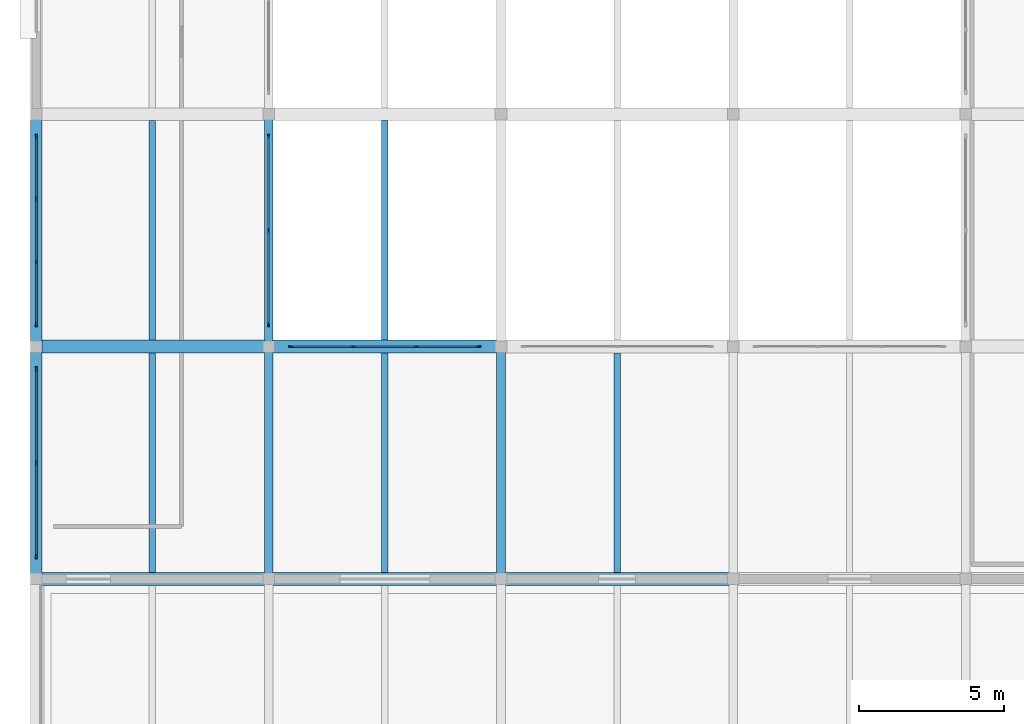
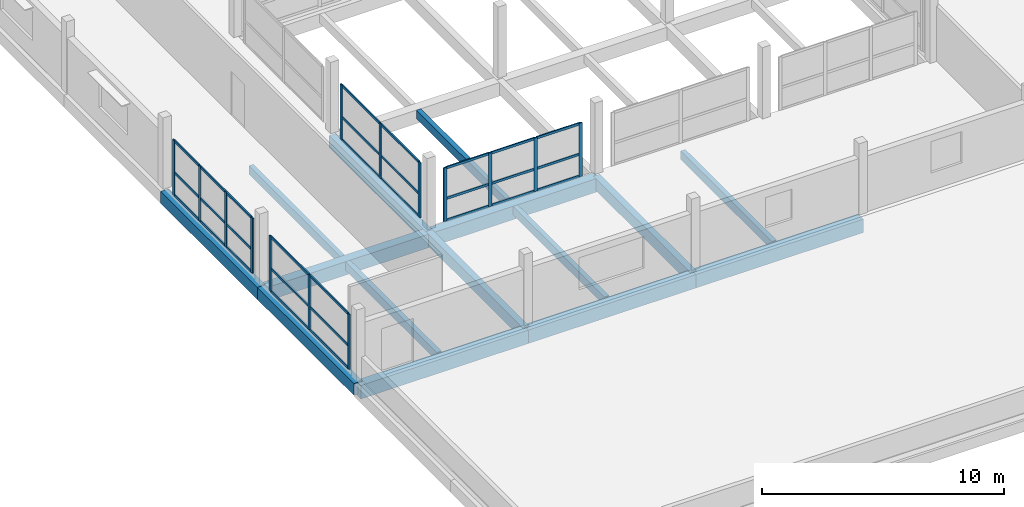
# One storey, part 9 of 51: 44 members, 15 beams, 4 elements without a shape of their own.
"""IFC4 building model written with IfcOpenShell, lengths in metres."""

from ifc_helpers import new_model, si_unit, direction, frame, origin, origin_2d, place, context, subcontext, project, spatial, rectangle, extrude, material, material_profile, profile_set, type_object, element, aggregate, save


model = new_model("IFC4")

# Units and contexts
model_context = context("Model", 3, precision=1e-05, world=origin(), true_north=direction((0.0, 1.0)))
body_context = subcontext(model_context, "Body", "Model", "MODEL_VIEW")
ifc_project = project(units=[si_unit("LENGTHUNIT", "METRE"), si_unit("AREAUNIT", "SQUARE_METRE"), si_unit("VOLUMEUNIT", "CUBIC_METRE"), si_unit("PLANEANGLEUNIT", "RADIAN"), si_unit("MASSUNIT", "GRAM", prefix="KILO")], contexts=[model_context])

# Site, building, storey
site_placement = place(None, origin())
site = spatial("IfcSite", under=ifc_project, at=site_placement, CompositionType="ELEMENT")
building_placement = place(site_placement, origin())
building = spatial("IfcBuilding", under=site, at=building_placement, Name="Vharandega Faculty of Natural Sciences", CompositionType="ELEMENT")
storey_placement = place(building_placement, frame((0.0, 0.0, 18.0)))
storey = spatial("IfcBuildingStorey", under=building, at=storey_placement, Name="L04", CompositionType="ELEMENT", Elevation=18.0)

# Curtain wall, members
ifc_material_1 = material(Name="Aluminium and solar-control glass curtain wall", Category="aluminium")
curtain_wall_type_1 = type_object("IfcCurtainWallType", Name="Unitised Curtain Wall System CW-04", PredefinedType="NOTDEFINED", material=ifc_material_1)
curtain_wall_1_placement = place(storey_placement, origin())
curtain_wall_1 = element("IfcCurtainWall", 1, at=curtain_wall_1_placement, inside=storey, type_object=curtain_wall_type_1, Name="Curtain Wall CW-L04-171", PredefinedType="NOTDEFINED")
ifc_material_2 = material(Name="Thermally broken aluminium 6063-T6", Category="aluminium")
ifc_material_profile_1 = material_profile(ifc_material_2, rectangle(XDim=0.06005859375, YDim=0.159912109375, at=origin_2d()), Name="ALU 60x160")
ifc_profile_set_1 = profile_set([ifc_material_profile_1], Name="Thermally broken aluminium 6063-T6")
member_type_1 = type_object("IfcMemberType", Name="CW Mullion 60x160", PredefinedType="MULLION", material=ifc_profile_set_1)
member_1_placement = place(storey_placement, frame((0.0, 16.77001953125, 0.0), z_axis=(0.0, 0.0, 1.0), x_axis=(-1.0, 0.0, 0.0)))
member_1 = element("IfcMember", 2, at=member_1_placement, type_object=member_type_1, Name="CW-04 mullion 1", PredefinedType="MULLION", context=body_context, shape_type="SweptSolid", body=[
    extrude(rectangle(XDim=0.06005859375, YDim=0.159912109375, at=origin_2d()), origin(), (0.0, 0.0, 1.0), 2.780029296875),
])
member_2_placement = place(storey_placement, frame((0.0, 20.0, 0.0), z_axis=(0.0, 0.0, 1.0), x_axis=(-1.0, 0.0, 0.0)))
member_2 = element("IfcMember", 3, at=member_2_placement, type_object=member_type_1, Name="CW-04 mullion 2", PredefinedType="MULLION", context=body_context, shape_type="SweptSolid", body=[
    extrude(rectangle(XDim=0.06005859375, YDim=0.159912109375, at=origin_2d()), origin(), (0.0, 0.0, 1.0), 2.780029296875),
])
member_3_placement = place(storey_placement, frame((0.0, 23.22998046875, 0.0), z_axis=(0.0, 0.0, 1.0), x_axis=(-1.0, 0.0, 0.0)))
member_3 = element("IfcMember", 4, at=member_3_placement, type_object=member_type_1, Name="CW-04 mullion 3", PredefinedType="MULLION", context=body_context, shape_type="SweptSolid", body=[
    extrude(rectangle(XDim=0.06005859375, YDim=0.159912109375, at=origin_2d()), origin(), (0.0, 0.0, 1.0), 2.780029296875),
])

ifc_material_3 = material(Name="Aluminium and solar-control glass curtain wall", Category="aluminium")
curtain_wall_type_2 = type_object("IfcCurtainWallType", Name="Unitised Curtain Wall System CW-05", PredefinedType="NOTDEFINED", material=ifc_material_3)
curtain_wall_2_placement = place(storey_placement, origin())
curtain_wall_2 = element("IfcCurtainWall", 5, at=curtain_wall_2_placement, inside=storey, type_object=curtain_wall_type_2, Name="Curtain Wall CW-L04-172", PredefinedType="NOTDEFINED")
member_4_placement = place(storey_placement, frame((0.0, 24.77001953125, 0.0), z_axis=(0.0, 0.0, 1.0), x_axis=(-1.0, 0.0, 0.0)))
member_4 = element("IfcMember", 6, at=member_4_placement, type_object=member_type_1, Name="CW-05 mullion 1", PredefinedType="MULLION", context=body_context, shape_type="SweptSolid", body=[
    extrude(rectangle(XDim=0.06005859375, YDim=0.159912109375, at=origin_2d()), origin(), (0.0, 0.0, 1.0), 2.780029296875),
])
member_5_placement = place(storey_placement, frame((0.0, 26.913330078125, 0.0), z_axis=(0.0, 0.0, 1.0), x_axis=(-1.0, 0.0, 0.0)))
member_5 = element("IfcMember", 7, at=member_5_placement, type_object=member_type_1, Name="CW-05 mullion 2", PredefinedType="MULLION", context=body_context, shape_type="SweptSolid", body=[
    extrude(rectangle(XDim=0.06005859375, YDim=0.159912109375, at=origin_2d()), origin(), (0.0, 0.0, 1.0), 2.780029296875),
])
member_6_placement = place(storey_placement, frame((0.0, 29.086669921875, 0.0), z_axis=(0.0, 0.0, 1.0), x_axis=(-1.0, 0.0, 0.0)))
member_6 = element("IfcMember", 8, at=member_6_placement, type_object=member_type_1, Name="CW-05 mullion 3", PredefinedType="MULLION", context=body_context, shape_type="SweptSolid", body=[
    extrude(rectangle(XDim=0.06005859375, YDim=0.159912109375, at=origin_2d()), origin(), (0.0, 0.0, 1.0), 2.780029296875),
])
member_7_placement = place(storey_placement, frame((0.0, 31.22998046875, 0.0), z_axis=(0.0, 0.0, 1.0), x_axis=(-1.0, 0.0, 0.0)))
member_7 = element("IfcMember", 9, at=member_7_placement, type_object=member_type_1, Name="CW-05 mullion 4", PredefinedType="MULLION", context=body_context, shape_type="SweptSolid", body=[
    extrude(rectangle(XDim=0.06005859375, YDim=0.159912109375, at=origin_2d()), origin(), (0.0, 0.0, 1.0), 2.780029296875),
])

ifc_material_4 = material(Name="Aluminium and solar-control glass curtain wall", Category="aluminium")
curtain_wall_type_3 = type_object("IfcCurtainWallType", Name="Unitised Curtain Wall System CW-16", PredefinedType="NOTDEFINED", material=ifc_material_4)
curtain_wall_3_placement = place(storey_placement, origin())
curtain_wall_3 = element("IfcCurtainWall", 10, at=curtain_wall_3_placement, inside=storey, type_object=curtain_wall_type_3, Name="Curtain Wall CW-L04-183", PredefinedType="NOTDEFINED")
member_8_placement = place(storey_placement, frame((8.77001953125, 24.0, 0.0), z_axis=(0.0, 0.0, 1.0), x_axis=(0.0, 1.0, 0.0)))
member_8 = element("IfcMember", 11, at=member_8_placement, type_object=member_type_1, Name="CW-16 mullion 1", PredefinedType="MULLION", context=body_context, shape_type="SweptSolid", body=[
    extrude(rectangle(XDim=0.06005859375, YDim=0.159912109375, at=origin_2d()), origin(), (0.0, 0.0, 1.0), 2.699951171875),
])
member_9_placement = place(storey_placement, frame((10.913330078125, 24.0, 0.0), z_axis=(0.0, 0.0, 1.0), x_axis=(0.0, 1.0, 0.0)))
member_9 = element("IfcMember", 12, at=member_9_placement, type_object=member_type_1, Name="CW-16 mullion 2", PredefinedType="MULLION", context=body_context, shape_type="SweptSolid", body=[
    extrude(rectangle(XDim=0.06005859375, YDim=0.159912109375, at=origin_2d()), origin(), (0.0, 0.0, 1.0), 2.699951171875),
])
member_10_placement = place(storey_placement, frame((13.086669921875, 24.0, 0.0), z_axis=(0.0, 0.0, 1.0), x_axis=(0.0, 1.0, 0.0)))
member_10 = element("IfcMember", 13, at=member_10_placement, type_object=member_type_1, Name="CW-16 mullion 3", PredefinedType="MULLION", context=body_context, shape_type="SweptSolid", body=[
    extrude(rectangle(XDim=0.06005859375, YDim=0.159912109375, at=origin_2d()), origin(), (0.0, 0.0, 1.0), 2.699951171875),
])
member_11_placement = place(storey_placement, frame((15.22998046875, 24.0, 0.0), z_axis=(0.0, 0.0, 1.0), x_axis=(0.0, 1.0, 0.0)))
member_11 = element("IfcMember", 14, at=member_11_placement, type_object=member_type_1, Name="CW-16 mullion 4", PredefinedType="MULLION", context=body_context, shape_type="SweptSolid", body=[
    extrude(rectangle(XDim=0.06005859375, YDim=0.159912109375, at=origin_2d()), origin(), (0.0, 0.0, 1.0), 2.699951171875),
])

ifc_material_5 = material(Name="Aluminium and solar-control glass curtain wall", Category="aluminium")
curtain_wall_type_4 = type_object("IfcCurtainWallType", Name="Unitised Curtain Wall System CW-22", PredefinedType="NOTDEFINED", material=ifc_material_5)
curtain_wall_4_placement = place(storey_placement, origin())
curtain_wall_4 = element("IfcCurtainWall", 15, at=curtain_wall_4_placement, inside=storey, type_object=curtain_wall_type_4, Name="Curtain Wall CW-L04-189", PredefinedType="NOTDEFINED")
member_12_placement = place(storey_placement, frame((8.0, 24.77001953125, 0.0), z_axis=(0.0, 0.0, 1.0), x_axis=(-1.0, 0.0, 0.0)))
member_12 = element("IfcMember", 16, at=member_12_placement, type_object=member_type_1, Name="CW-22 mullion 1", PredefinedType="MULLION", context=body_context, shape_type="SweptSolid", body=[
    extrude(rectangle(XDim=0.06005859375, YDim=0.159912109375, at=origin_2d()), origin(), (0.0, 0.0, 1.0), 2.780029296875),
])
member_13_placement = place(storey_placement, frame((8.0, 28.0, 0.0), z_axis=(0.0, 0.0, 1.0), x_axis=(-1.0, 0.0, 0.0)))
member_13 = element("IfcMember", 17, at=member_13_placement, type_object=member_type_1, Name="CW-22 mullion 2", PredefinedType="MULLION", context=body_context, shape_type="SweptSolid", body=[
    extrude(rectangle(XDim=0.06005859375, YDim=0.159912109375, at=origin_2d()), origin(), (0.0, 0.0, 1.0), 2.780029296875),
])
member_14_placement = place(storey_placement, frame((8.0, 31.22998046875, 0.0), z_axis=(0.0, 0.0, 1.0), x_axis=(-1.0, 0.0, 0.0)))
member_14 = element("IfcMember", 18, at=member_14_placement, type_object=member_type_1, Name="CW-22 mullion 3", PredefinedType="MULLION", context=body_context, shape_type="SweptSolid", body=[
    extrude(rectangle(XDim=0.06005859375, YDim=0.159912109375, at=origin_2d()), origin(), (0.0, 0.0, 1.0), 2.780029296875),
])

# Member
ifc_material_6 = material(Name="Thermally broken aluminium 6063-T6", Category="aluminium")
ifc_material_profile_2 = material_profile(ifc_material_6, rectangle(XDim=0.06005859375, YDim=0.1201171875, at=origin_2d()), Name="ALU 60x120")
ifc_profile_set_2 = profile_set([ifc_material_profile_2], Name="Thermally broken aluminium 6063-T6")
member_type_2 = type_object("IfcMemberType", Name="CW Transom 60x120", PredefinedType="USERDEFINED", material=ifc_profile_set_2)
member_15_placement = place(storey_placement, frame((0.0, 16.800048828125, 0.030029296875), z_axis=(0.0, 1.0, 0.0), x_axis=(-1.0, 0.0, 0.0)))
member_15 = element("IfcMember", 19, at=member_15_placement, type_object=member_type_2, Name="CW-04 transom 1.1", ObjectType="TRANSOM", PredefinedType="USERDEFINED", context=body_context, shape_type="SweptSolid", body=[
    extrude(rectangle(XDim=0.06005859375, YDim=0.1201171875, at=origin_2d()), origin(), (0.0, 0.0, 1.0), 3.169921875),
])

member_16_placement = place(storey_placement, frame((0.0, 16.800048828125, 1.16748046875), z_axis=(0.0, 1.0, 0.0), x_axis=(-1.0, 0.0, 0.0)))
member_16 = element("IfcMember", 20, at=member_16_placement, type_object=member_type_2, Name="CW-04 transom 1.2", ObjectType="TRANSOM", PredefinedType="USERDEFINED", context=body_context, shape_type="SweptSolid", body=[
    extrude(rectangle(XDim=0.06005859375, YDim=0.1201171875, at=origin_2d()), origin(), (0.0, 0.0, 1.0), 3.169921875),
])

member_17_placement = place(storey_placement, frame((0.0, 16.800048828125, 2.75), z_axis=(0.0, 1.0, 0.0), x_axis=(-1.0, 0.0, 0.0)))
member_17 = element("IfcMember", 21, at=member_17_placement, type_object=member_type_2, Name="CW-04 transom 1.3", ObjectType="TRANSOM", PredefinedType="USERDEFINED", context=body_context, shape_type="SweptSolid", body=[
    extrude(rectangle(XDim=0.06005859375, YDim=0.1201171875, at=origin_2d()), origin(), (0.0, 0.0, 1.0), 3.169921875),
])

member_18_placement = place(storey_placement, frame((0.0, 20.030029296875, 0.030029296875), z_axis=(0.0, 1.0, 0.0), x_axis=(-1.0, 0.0, 0.0)))
member_18 = element("IfcMember", 22, at=member_18_placement, type_object=member_type_2, Name="CW-04 transom 2.1", ObjectType="TRANSOM", PredefinedType="USERDEFINED", context=body_context, shape_type="SweptSolid", body=[
    extrude(rectangle(XDim=0.06005859375, YDim=0.1201171875, at=origin_2d()), origin(), (0.0, 0.0, 1.0), 3.169921875),
])

member_19_placement = place(storey_placement, frame((0.0, 20.030029296875, 1.16748046875), z_axis=(0.0, 1.0, 0.0), x_axis=(-1.0, 0.0, 0.0)))
member_19 = element("IfcMember", 23, at=member_19_placement, type_object=member_type_2, Name="CW-04 transom 2.2", ObjectType="TRANSOM", PredefinedType="USERDEFINED", context=body_context, shape_type="SweptSolid", body=[
    extrude(rectangle(XDim=0.06005859375, YDim=0.1201171875, at=origin_2d()), origin(), (0.0, 0.0, 1.0), 3.169921875),
])

member_20_placement = place(storey_placement, frame((0.0, 20.030029296875, 2.75), z_axis=(0.0, 1.0, 0.0), x_axis=(-1.0, 0.0, 0.0)))
member_20 = element("IfcMember", 24, at=member_20_placement, type_object=member_type_2, Name="CW-04 transom 2.3", ObjectType="TRANSOM", PredefinedType="USERDEFINED", context=body_context, shape_type="SweptSolid", body=[
    extrude(rectangle(XDim=0.06005859375, YDim=0.1201171875, at=origin_2d()), origin(), (0.0, 0.0, 1.0), 3.169921875),
])

aggregate(curtain_wall_1, [member_1, member_2, member_3, member_15, member_16, member_17, member_18, member_19, member_20])

member_21_placement = place(storey_placement, frame((0.0, 24.800048828125, 0.030029296875), z_axis=(0.0, 1.0, 0.0), x_axis=(-1.0, 0.0, 0.0)))
member_21 = element("IfcMember", 25, at=member_21_placement, type_object=member_type_2, Name="CW-05 transom 1.1", ObjectType="TRANSOM", PredefinedType="USERDEFINED", context=body_context, shape_type="SweptSolid", body=[
    extrude(rectangle(XDim=0.06005859375, YDim=0.1201171875, at=origin_2d()), origin(), (0.0, 0.0, 1.0), 2.083251953125),
])

member_22_placement = place(storey_placement, frame((0.0, 24.800048828125, 1.16748046875), z_axis=(0.0, 1.0, 0.0), x_axis=(-1.0, 0.0, 0.0)))
member_22 = element("IfcMember", 26, at=member_22_placement, type_object=member_type_2, Name="CW-05 transom 1.2", ObjectType="TRANSOM", PredefinedType="USERDEFINED", context=body_context, shape_type="SweptSolid", body=[
    extrude(rectangle(XDim=0.06005859375, YDim=0.1201171875, at=origin_2d()), origin(), (0.0, 0.0, 1.0), 2.083251953125),
])

member_23_placement = place(storey_placement, frame((0.0, 24.800048828125, 2.75), z_axis=(0.0, 1.0, 0.0), x_axis=(-1.0, 0.0, 0.0)))
member_23 = element("IfcMember", 27, at=member_23_placement, type_object=member_type_2, Name="CW-05 transom 1.3", ObjectType="TRANSOM", PredefinedType="USERDEFINED", context=body_context, shape_type="SweptSolid", body=[
    extrude(rectangle(XDim=0.06005859375, YDim=0.1201171875, at=origin_2d()), origin(), (0.0, 0.0, 1.0), 2.083251953125),
])

member_24_placement = place(storey_placement, frame((0.0, 26.943359375, 0.030029296875), z_axis=(0.0, 1.0, 0.0), x_axis=(-1.0, 0.0, 0.0)))
member_24 = element("IfcMember", 28, at=member_24_placement, type_object=member_type_2, Name="CW-05 transom 2.1", ObjectType="TRANSOM", PredefinedType="USERDEFINED", context=body_context, shape_type="SweptSolid", body=[
    extrude(rectangle(XDim=0.06005859375, YDim=0.1201171875, at=origin_2d()), origin(), (0.0, 0.0, 1.0), 2.11328125),
])

member_25_placement = place(storey_placement, frame((0.0, 26.943359375, 1.16748046875), z_axis=(0.0, 1.0, 0.0), x_axis=(-1.0, 0.0, 0.0)))
member_25 = element("IfcMember", 29, at=member_25_placement, type_object=member_type_2, Name="CW-05 transom 2.2", ObjectType="TRANSOM", PredefinedType="USERDEFINED", context=body_context, shape_type="SweptSolid", body=[
    extrude(rectangle(XDim=0.06005859375, YDim=0.1201171875, at=origin_2d()), origin(), (0.0, 0.0, 1.0), 2.11328125),
])

member_26_placement = place(storey_placement, frame((0.0, 26.943359375, 2.75), z_axis=(0.0, 1.0, 0.0), x_axis=(-1.0, 0.0, 0.0)))
member_26 = element("IfcMember", 30, at=member_26_placement, type_object=member_type_2, Name="CW-05 transom 2.3", ObjectType="TRANSOM", PredefinedType="USERDEFINED", context=body_context, shape_type="SweptSolid", body=[
    extrude(rectangle(XDim=0.06005859375, YDim=0.1201171875, at=origin_2d()), origin(), (0.0, 0.0, 1.0), 2.11328125),
])

member_27_placement = place(storey_placement, frame((0.0, 29.11669921875, 0.030029296875), z_axis=(0.0, 1.0, 0.0), x_axis=(-1.0, 0.0, 0.0)))
member_27 = element("IfcMember", 31, at=member_27_placement, type_object=member_type_2, Name="CW-05 transom 3.1", ObjectType="TRANSOM", PredefinedType="USERDEFINED", context=body_context, shape_type="SweptSolid", body=[
    extrude(rectangle(XDim=0.06005859375, YDim=0.1201171875, at=origin_2d()), origin(), (0.0, 0.0, 1.0), 2.083251953125),
])

member_28_placement = place(storey_placement, frame((0.0, 29.11669921875, 1.16748046875), z_axis=(0.0, 1.0, 0.0), x_axis=(-1.0, 0.0, 0.0)))
member_28 = element("IfcMember", 32, at=member_28_placement, type_object=member_type_2, Name="CW-05 transom 3.2", ObjectType="TRANSOM", PredefinedType="USERDEFINED", context=body_context, shape_type="SweptSolid", body=[
    extrude(rectangle(XDim=0.06005859375, YDim=0.1201171875, at=origin_2d()), origin(), (0.0, 0.0, 1.0), 2.083251953125),
])

member_29_placement = place(storey_placement, frame((0.0, 29.11669921875, 2.75), z_axis=(0.0, 1.0, 0.0), x_axis=(-1.0, 0.0, 0.0)))
member_29 = element("IfcMember", 33, at=member_29_placement, type_object=member_type_2, Name="CW-05 transom 3.3", ObjectType="TRANSOM", PredefinedType="USERDEFINED", context=body_context, shape_type="SweptSolid", body=[
    extrude(rectangle(XDim=0.06005859375, YDim=0.1201171875, at=origin_2d()), origin(), (0.0, 0.0, 1.0), 2.083251953125),
])

aggregate(curtain_wall_2, [member_4, member_5, member_6, member_7, member_21, member_22, member_23, member_24, member_25, member_26, member_27, member_28, member_29])

member_30_placement = place(storey_placement, frame((8.800048828125, 24.0, 0.030029296875), z_axis=(1.0, 0.0, 0.0), x_axis=(0.0, 1.0, 0.0)))
member_30 = element("IfcMember", 34, at=member_30_placement, type_object=member_type_2, Name="CW-16 transom 1.1", ObjectType="TRANSOM", PredefinedType="USERDEFINED", context=body_context, shape_type="SweptSolid", body=[
    extrude(rectangle(XDim=0.06005859375, YDim=0.1201171875, at=origin_2d()), origin(), (0.0, 0.0, 1.0), 2.083251953125),
])

member_31_placement = place(storey_placement, frame((8.800048828125, 24.0, 1.134033203125), z_axis=(1.0, 0.0, 0.0), x_axis=(0.0, 1.0, 0.0)))
member_31 = element("IfcMember", 35, at=member_31_placement, type_object=member_type_2, Name="CW-16 transom 1.2", ObjectType="TRANSOM", PredefinedType="USERDEFINED", context=body_context, shape_type="SweptSolid", body=[
    extrude(rectangle(XDim=0.06005859375, YDim=0.1201171875, at=origin_2d()), origin(), (0.0, 0.0, 1.0), 2.083251953125),
])

member_32_placement = place(storey_placement, frame((8.800048828125, 24.0, 2.669921875), z_axis=(1.0, 0.0, 0.0), x_axis=(0.0, 1.0, 0.0)))
member_32 = element("IfcMember", 36, at=member_32_placement, type_object=member_type_2, Name="CW-16 transom 1.3", ObjectType="TRANSOM", PredefinedType="USERDEFINED", context=body_context, shape_type="SweptSolid", body=[
    extrude(rectangle(XDim=0.06005859375, YDim=0.1201171875, at=origin_2d()), origin(), (0.0, 0.0, 1.0), 2.083251953125),
])

member_33_placement = place(storey_placement, frame((10.943359375, 24.0, 0.030029296875), z_axis=(1.0, 0.0, 0.0), x_axis=(0.0, 1.0, 0.0)))
member_33 = element("IfcMember", 37, at=member_33_placement, type_object=member_type_2, Name="CW-16 transom 2.1", ObjectType="TRANSOM", PredefinedType="USERDEFINED", context=body_context, shape_type="SweptSolid", body=[
    extrude(rectangle(XDim=0.06005859375, YDim=0.1201171875, at=origin_2d()), origin(), (0.0, 0.0, 1.0), 2.11328125),
])

member_34_placement = place(storey_placement, frame((10.943359375, 24.0, 1.134033203125), z_axis=(1.0, 0.0, 0.0), x_axis=(0.0, 1.0, 0.0)))
member_34 = element("IfcMember", 38, at=member_34_placement, type_object=member_type_2, Name="CW-16 transom 2.2", ObjectType="TRANSOM", PredefinedType="USERDEFINED", context=body_context, shape_type="SweptSolid", body=[
    extrude(rectangle(XDim=0.06005859375, YDim=0.1201171875, at=origin_2d()), origin(), (0.0, 0.0, 1.0), 2.11328125),
])

member_35_placement = place(storey_placement, frame((10.943359375, 24.0, 2.669921875), z_axis=(1.0, 0.0, 0.0), x_axis=(0.0, 1.0, 0.0)))
member_35 = element("IfcMember", 39, at=member_35_placement, type_object=member_type_2, Name="CW-16 transom 2.3", ObjectType="TRANSOM", PredefinedType="USERDEFINED", context=body_context, shape_type="SweptSolid", body=[
    extrude(rectangle(XDim=0.06005859375, YDim=0.1201171875, at=origin_2d()), origin(), (0.0, 0.0, 1.0), 2.11328125),
])

member_36_placement = place(storey_placement, frame((13.11669921875, 24.0, 0.030029296875), z_axis=(1.0, 0.0, 0.0), x_axis=(0.0, 1.0, 0.0)))
member_36 = element("IfcMember", 40, at=member_36_placement, type_object=member_type_2, Name="CW-16 transom 3.1", ObjectType="TRANSOM", PredefinedType="USERDEFINED", context=body_context, shape_type="SweptSolid", body=[
    extrude(rectangle(XDim=0.06005859375, YDim=0.1201171875, at=origin_2d()), origin(), (0.0, 0.0, 1.0), 2.083251953125),
])

member_37_placement = place(storey_placement, frame((13.11669921875, 24.0, 1.134033203125), z_axis=(1.0, 0.0, 0.0), x_axis=(0.0, 1.0, 0.0)))
member_37 = element("IfcMember", 41, at=member_37_placement, type_object=member_type_2, Name="CW-16 transom 3.2", ObjectType="TRANSOM", PredefinedType="USERDEFINED", context=body_context, shape_type="SweptSolid", body=[
    extrude(rectangle(XDim=0.06005859375, YDim=0.1201171875, at=origin_2d()), origin(), (0.0, 0.0, 1.0), 2.083251953125),
])

member_38_placement = place(storey_placement, frame((13.11669921875, 24.0, 2.669921875), z_axis=(1.0, 0.0, 0.0), x_axis=(0.0, 1.0, 0.0)))
member_38 = element("IfcMember", 42, at=member_38_placement, type_object=member_type_2, Name="CW-16 transom 3.3", ObjectType="TRANSOM", PredefinedType="USERDEFINED", context=body_context, shape_type="SweptSolid", body=[
    extrude(rectangle(XDim=0.06005859375, YDim=0.1201171875, at=origin_2d()), origin(), (0.0, 0.0, 1.0), 2.083251953125),
])

aggregate(curtain_wall_3, [member_8, member_9, member_10, member_11, member_30, member_31, member_32, member_33, member_34, member_35, member_36, member_37, member_38])

member_39_placement = place(storey_placement, frame((8.0, 24.800048828125, 0.030029296875), z_axis=(0.0, 1.0, 0.0), x_axis=(-1.0, 0.0, 0.0)))
member_39 = element("IfcMember", 43, at=member_39_placement, type_object=member_type_2, Name="CW-22 transom 1.1", ObjectType="TRANSOM", PredefinedType="USERDEFINED", context=body_context, shape_type="SweptSolid", body=[
    extrude(rectangle(XDim=0.06005859375, YDim=0.1201171875, at=origin_2d()), origin(), (0.0, 0.0, 1.0), 3.169921875),
])

member_40_placement = place(storey_placement, frame((8.0, 24.800048828125, 1.16748046875), z_axis=(0.0, 1.0, 0.0), x_axis=(-1.0, 0.0, 0.0)))
member_40 = element("IfcMember", 44, at=member_40_placement, type_object=member_type_2, Name="CW-22 transom 1.2", ObjectType="TRANSOM", PredefinedType="USERDEFINED", context=body_context, shape_type="SweptSolid", body=[
    extrude(rectangle(XDim=0.06005859375, YDim=0.1201171875, at=origin_2d()), origin(), (0.0, 0.0, 1.0), 3.169921875),
])

member_41_placement = place(storey_placement, frame((8.0, 24.800048828125, 2.75), z_axis=(0.0, 1.0, 0.0), x_axis=(-1.0, 0.0, 0.0)))
member_41 = element("IfcMember", 45, at=member_41_placement, type_object=member_type_2, Name="CW-22 transom 1.3", ObjectType="TRANSOM", PredefinedType="USERDEFINED", context=body_context, shape_type="SweptSolid", body=[
    extrude(rectangle(XDim=0.06005859375, YDim=0.1201171875, at=origin_2d()), origin(), (0.0, 0.0, 1.0), 3.169921875),
])

member_42_placement = place(storey_placement, frame((8.0, 28.030029296875, 0.030029296875), z_axis=(0.0, 1.0, 0.0), x_axis=(-1.0, 0.0, 0.0)))
member_42 = element("IfcMember", 46, at=member_42_placement, type_object=member_type_2, Name="CW-22 transom 2.1", ObjectType="TRANSOM", PredefinedType="USERDEFINED", context=body_context, shape_type="SweptSolid", body=[
    extrude(rectangle(XDim=0.06005859375, YDim=0.1201171875, at=origin_2d()), origin(), (0.0, 0.0, 1.0), 3.169921875),
])

member_43_placement = place(storey_placement, frame((8.0, 28.030029296875, 1.16748046875), z_axis=(0.0, 1.0, 0.0), x_axis=(-1.0, 0.0, 0.0)))
member_43 = element("IfcMember", 47, at=member_43_placement, type_object=member_type_2, Name="CW-22 transom 2.2", ObjectType="TRANSOM", PredefinedType="USERDEFINED", context=body_context, shape_type="SweptSolid", body=[
    extrude(rectangle(XDim=0.06005859375, YDim=0.1201171875, at=origin_2d()), origin(), (0.0, 0.0, 1.0), 3.169921875),
])

member_44_placement = place(storey_placement, frame((8.0, 28.030029296875, 2.75), z_axis=(0.0, 1.0, 0.0), x_axis=(-1.0, 0.0, 0.0)))
member_44 = element("IfcMember", 48, at=member_44_placement, type_object=member_type_2, Name="CW-22 transom 2.3", ObjectType="TRANSOM", PredefinedType="USERDEFINED", context=body_context, shape_type="SweptSolid", body=[
    extrude(rectangle(XDim=0.06005859375, YDim=0.1201171875, at=origin_2d()), origin(), (0.0, 0.0, 1.0), 3.169921875),
])

aggregate(curtain_wall_4, [member_12, member_13, member_14, member_39, member_40, member_41, member_42, member_43, member_44])

# Beams
ifc_material_7 = material(Name="Glulam GL28h", Category="wood")
ifc_material_profile_3 = material_profile(ifc_material_7, rectangle(XDim=0.300048828125, YDim=0.60009765625, at=origin_2d()), Name="GL28h 300x600")
ifc_profile_set_3 = profile_set([ifc_material_profile_3], Name="Glulam GL28h")
beam_type_1 = type_object("IfcBeamType", Name="Glulam Floor Beam 300x600", PredefinedType="BEAM", material=ifc_profile_set_3)
for number, where, z_axis, x_axis, name in (
    (49, (8.0, 16.0, -0.52001953125), (0.0, 1.0, 0.0), (-1.0, 0.0, 0.0), "Beam L04 2/C-D"),
    (50, (8.0, 24.0, -0.52001953125), (0.0, 1.0, 0.0), (-1.0, 0.0, 0.0), "Beam L04 2/D-E"),
    (51, (16.0, 16.0, -0.52001953125), (0.0, 1.0, 0.0), (-1.0, 0.0, 0.0), "Beam L04 3/C-D"),
):
    element("IfcBeam", number, at=place(storey_placement, frame(where, z_axis=z_axis, x_axis=x_axis)), inside=storey, type_object=beam_type_1, Name=name, PredefinedType="BEAM", context=body_context, shape_type="SweptSolid", body=[
        extrude(rectangle(XDim=0.300048828125, YDim=0.60009765625, at=origin_2d()), origin(), (0.0, 0.0, 1.0), 8.0),
    ])
ifc_material_8 = material(Name="Glulam GL32h", Category="wood")
ifc_material_profile_4 = material_profile(ifc_material_8, rectangle(XDim=0.43994140625, YDim=0.679931640625, at=origin_2d()), Name="GL32h 440x680")
ifc_profile_set_4 = profile_set([ifc_material_profile_4], Name="Glulam GL32h")
beam_type_2 = type_object("IfcBeamType", Name="Glulam Girder 440x680", PredefinedType="BEAM", material=ifc_profile_set_4)
for number, where, z_axis, x_axis, name in (
    (52, (0.0, 16.0, -0.60009765625), (1.0, 0.0, 0.0), (0.0, 1.0, 0.0), "Beam L04 C/1-2"),
    (53, (8.0, 16.0, -0.60009765625), (1.0, 0.0, 0.0), (0.0, 1.0, 0.0), "Beam L04 C/2-3"),
    (54, (16.0, 16.0, -0.60009765625), (1.0, 0.0, 0.0), (0.0, 1.0, 0.0), "Beam L04 C/3-4"),
    (55, (0.0, 24.0, -0.56005859375), (1.0, 0.0, 0.0), (0.0, 1.0, 0.0), "Beam L04 D/1-2"),
    (56, (8.0, 24.0, -0.56005859375), (1.0, 0.0, 0.0), (0.0, 1.0, 0.0), "Beam L04 D/2-3"),
):
    element("IfcBeam", number, at=place(storey_placement, frame(where, z_axis=z_axis, x_axis=x_axis)), inside=storey, type_object=beam_type_2, Name=name, PredefinedType="BEAM", context=body_context, shape_type="SweptSolid", body=[
        extrude(rectangle(XDim=0.43994140625, YDim=0.679931640625, at=origin_2d()), origin(), (0.0, 0.0, 1.0), 8.0),
    ])
ifc_material_9 = material(Name="Glulam GL28h", Category="wood")
ifc_material_profile_5 = material_profile(ifc_material_9, rectangle(XDim=0.219970703125, YDim=0.43994140625, at=origin_2d()), Name="GL28h 220x440")
ifc_profile_set_5 = profile_set([ifc_material_profile_5], Name="Glulam GL28h")
beam_type_3 = type_object("IfcBeamType", Name="Glulam Secondary Joist 220x440", PredefinedType="JOIST", material=ifc_profile_set_5)
for number, where, z_axis, x_axis, name in (
    (57, (4.0, 16.219970703125, -0.43994140625), (0.0, 1.0, 0.0), (-1.0, 0.0, 0.0), "Secondary Joist L04 1-2/C-D"),
    (58, (4.0, 24.219970703125, -0.43994140625), (0.0, 1.0, 0.0), (-1.0, 0.0, 0.0), "Secondary Joist L04 1-2/D-E"),
    (59, (12.0, 16.219970703125, -0.43994140625), (0.0, 1.0, 0.0), (-1.0, 0.0, 0.0), "Secondary Joist L04 2-3/C-D"),
    (60, (12.0, 24.219970703125, -0.43994140625), (0.0, 1.0, 0.0), (-1.0, 0.0, 0.0), "Secondary Joist L04 2-3/D-E"),
    (61, (20.0, 16.219970703125, -0.43994140625), (0.0, 1.0, 0.0), (-1.0, 0.0, 0.0), "Secondary Joist L04 3-4/C-D"),
):
    element("IfcBeam", number, at=place(storey_placement, frame(where, z_axis=z_axis, x_axis=x_axis)), inside=storey, type_object=beam_type_3, Name=name, PredefinedType="JOIST", context=body_context, shape_type="SweptSolid", body=[
        extrude(rectangle(XDim=0.219970703125, YDim=0.43994140625, at=origin_2d()), origin(), (0.0, 0.0, 1.0), 7.56005859375),
    ])
ifc_material_10 = material(Name="Glulam GL32h", Category="wood")
ifc_material_profile_6 = material_profile(ifc_material_10, rectangle(XDim=0.39990234375, YDim=0.60009765625, at=origin_2d()), Name="GL32h 400x600")
ifc_profile_set_6 = profile_set([ifc_material_profile_6], Name="Glulam GL32h")
beam_type_4 = type_object("IfcBeamType", Name="Glulam Spine Girder 400x600", PredefinedType="BEAM", material=ifc_profile_set_6)
for number, where, z_axis, x_axis, name in (
    (62, (0.0, 16.0, -0.52001953125), (0.0, 1.0, 0.0), (-1.0, 0.0, 0.0), "Beam L04 1/C-D"),
    (63, (0.0, 24.0, -0.52001953125), (0.0, 1.0, 0.0), (-1.0, 0.0, 0.0), "Beam L04 1/D-E"),
):
    element("IfcBeam", number, at=place(storey_placement, frame(where, z_axis=z_axis, x_axis=x_axis)), inside=storey, type_object=beam_type_4, Name=name, PredefinedType="BEAM", context=body_context, shape_type="SweptSolid", body=[
        extrude(rectangle(XDim=0.39990234375, YDim=0.60009765625, at=origin_2d()), origin(), (0.0, 0.0, 1.0), 8.0),
    ])

save(model, "model.ifc")
